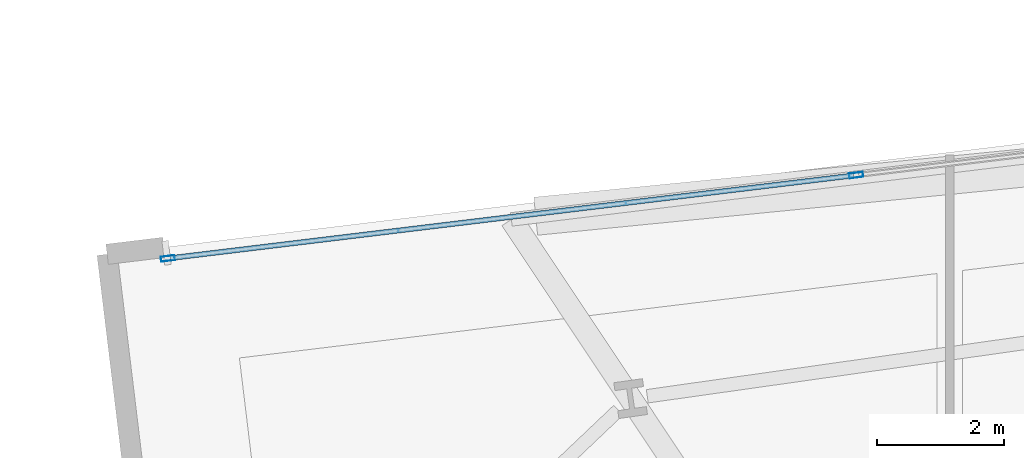
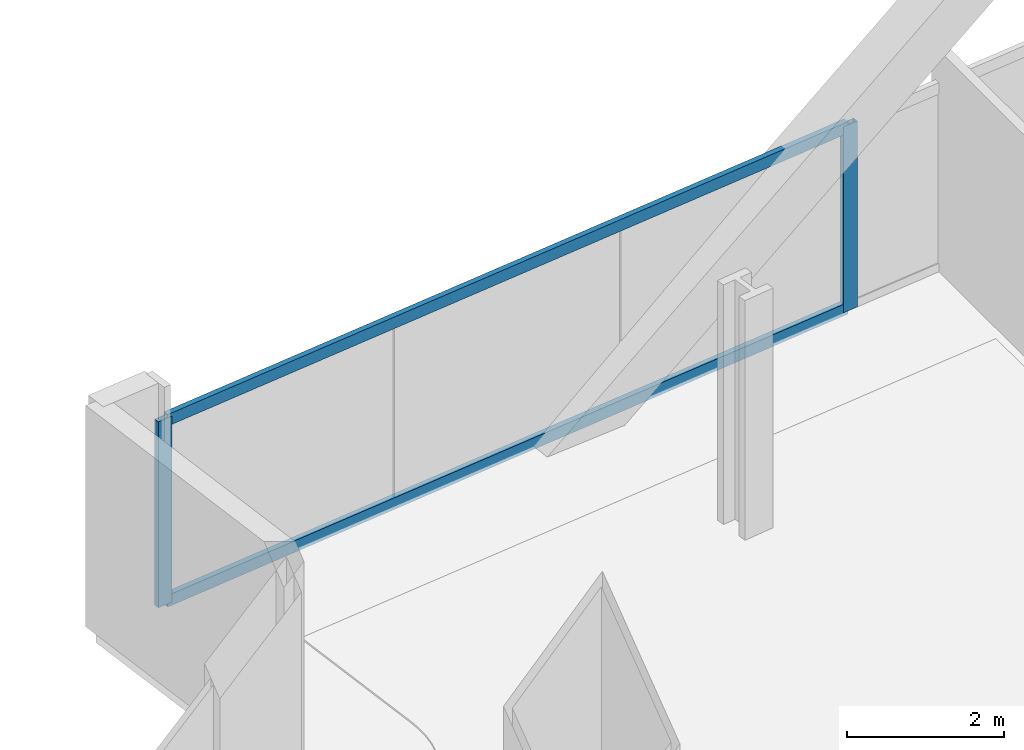
# One storey, part 18 of 33: 4 members, 1 element without a shape of its own.
"""IFC4 building model written with IfcOpenShell, lengths in metres."""

from ifc_helpers import new_model, si_unit, direction, frame, origin, origin_2d, place, context, subcontext, project, spatial, hollow_rectangle, extrude, material, material_profile, profile_set, type_object, element, aggregate, save


model = new_model("IFC4")

# Units and contexts
model_context = context("Model", 3, precision=1e-05, world=origin(), true_north=direction((0.0, 1.0)))
body_context = subcontext(model_context, "Body", "Model", "MODEL_VIEW")
ifc_project = project(units=[si_unit("LENGTHUNIT", "METRE"), si_unit("AREAUNIT", "SQUARE_METRE"), si_unit("VOLUMEUNIT", "CUBIC_METRE"), si_unit("PLANEANGLEUNIT", "RADIAN"), si_unit("MASSUNIT", "GRAM", prefix="KILO")], contexts=[model_context])

# Site, building, storey
site_placement = place(None, origin())
site = spatial("IfcSite", under=ifc_project, at=site_placement, CompositionType="ELEMENT")
building_placement = place(site_placement, origin())
building = spatial("IfcBuilding", under=site, at=building_placement, Name="Haldenkirk Collegiate Tower", CompositionType="ELEMENT")
storey_placement = place(building_placement, frame((0.0, 0.0, 51.449951171875)))
storey = spatial("IfcBuildingStorey", under=building, at=storey_placement, Name="L11", CompositionType="ELEMENT", Elevation=51.449951171875)

# Curtain wall, members
ifc_material = material(Name="Anodised architectural bronze aluminium", Category="aluminium")
curtain_wall_type = type_object("IfcCurtainWallType", Name="CW-SYS1-CONVEX-LOW", PredefinedType="USERDEFINED", material=ifc_material)
curtain_wall_placement = place(storey_placement, origin())
curtain_wall = element("IfcCurtainWall", 1, at=curtain_wall_placement, inside=storey, type_object=curtain_wall_type, Name="L11 Lower tower convex bronze-framed unitised curtain wall", ObjectType="UNITISED CURTAIN WALL", PredefinedType="USERDEFINED")
ifc_material_profile_1 = material_profile(ifc_material, hollow_rectangle(XDim=0.080078125, YDim=0.219970703125, WallThickness=0.0048828125, at=origin_2d()), Name="CW-MUL-1A")
ifc_profile_set_1 = profile_set([ifc_material_profile_1], Name="Anodised architectural bronze aluminium")
member_type_1 = type_object("IfcMemberType", Name="CW-MUL-1A", PredefinedType="MULLION", material=ifc_profile_set_1)
member_1_placement = place(storey_placement, frame((11.1962890625, 49.0068359375, 0.0), z_axis=(0.0, 0.0, 1.0), x_axis=(-0.120137179083, 0.992757300755, 0.0)))
member_1 = element("IfcMember", 2, at=member_1_placement, type_object=member_type_1, Name="CW-1A mullion 1", PredefinedType="MULLION", context=body_context, shape_type="SweptSolid", body=[
    extrude(hollow_rectangle(XDim=0.080078125, YDim=0.219970703125, WallThickness=0.0048828125, at=origin_2d()), origin(), (0.0, 0.0, 1.0), 2.89111328125),
])
member_2_placement = place(storey_placement, frame((22.02734375, 50.3173828125, 0.0), z_axis=(0.0, 0.0, 1.0), x_axis=(-0.120137179083, 0.992757300755, 0.0)))
member_2 = element("IfcMember", 3, at=member_2_placement, type_object=member_type_1, Name="CW-1A mullion 2", PredefinedType="MULLION", context=body_context, shape_type="SweptSolid", body=[
    extrude(hollow_rectangle(XDim=0.080078125, YDim=0.219970703125, WallThickness=0.0048828125, at=origin_2d()), origin(), (0.0, 0.0, 1.0), 2.89111328125),
])
ifc_material_profile_2 = material_profile(ifc_material, hollow_rectangle(XDim=0.080078125, YDim=0.179931640625, WallThickness=0.0048828125, at=origin_2d()), Name="CW-TRN-1A")
ifc_profile_set_2 = profile_set([ifc_material_profile_2], Name="Anodised architectural bronze aluminium")
member_type_2 = type_object("IfcMemberType", Name="CW-TRN-1A", PredefinedType="USERDEFINED", material=ifc_profile_set_2)
member_3_placement = place(storey_placement, frame((11.236083984375, 49.01171875, 0.0400390625), z_axis=(0.992757835458, 0.12013276046, 0.0), x_axis=(-0.12013276046, 0.992757835458, 0.0)))
member_3 = element("IfcMember", 4, at=member_3_placement, type_object=member_type_2, Name="CW-1A transom 1.1", ObjectType="TRANSOM", PredefinedType="USERDEFINED", context=body_context, shape_type="SweptSolid", body=[
    extrude(hollow_rectangle(XDim=0.080078125, YDim=0.179931640625, WallThickness=0.0048828125, at=origin_2d()), origin(), (0.0, 0.0, 1.0), 10.829833984375),
])
member_4_placement = place(storey_placement, frame((11.236083984375, 49.01171875, 2.85107421875), z_axis=(0.992757835458, 0.12013276046, 0.0), x_axis=(-0.12013276046, 0.992757835458, 0.0)))
member_4 = element("IfcMember", 5, at=member_4_placement, type_object=member_type_2, Name="CW-1A transom 1.2", ObjectType="TRANSOM", PredefinedType="USERDEFINED", context=body_context, shape_type="SweptSolid", body=[
    extrude(hollow_rectangle(XDim=0.080078125, YDim=0.179931640625, WallThickness=0.0048828125, at=origin_2d()), origin(), (0.0, 0.0, 1.0), 10.829833984375),
])
aggregate(curtain_wall, [member_1, member_2, member_3, member_4])

save(model, "model.ifc")
